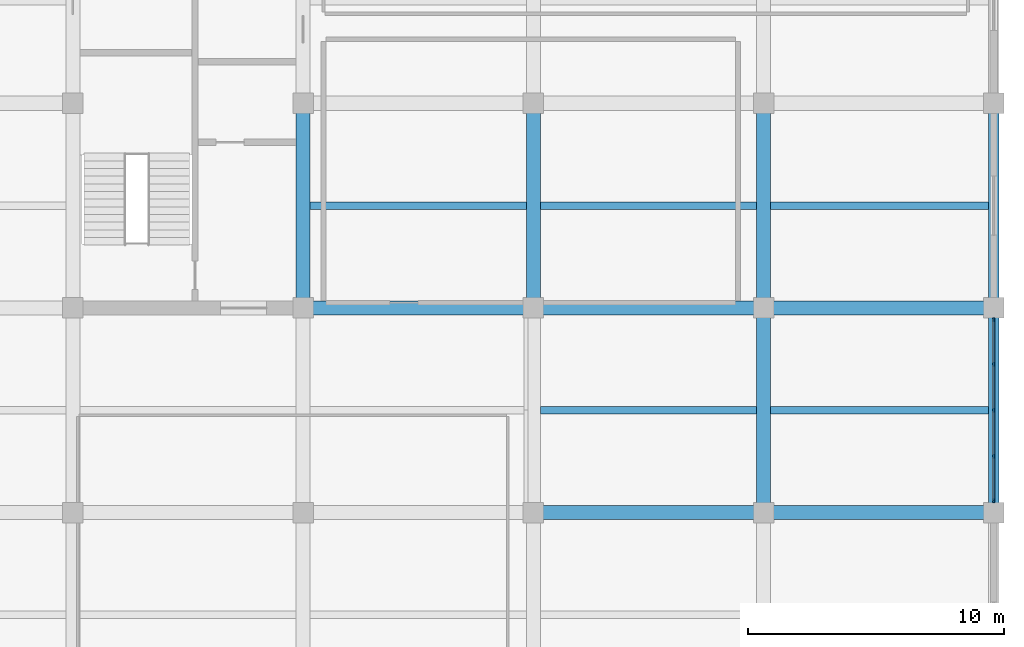
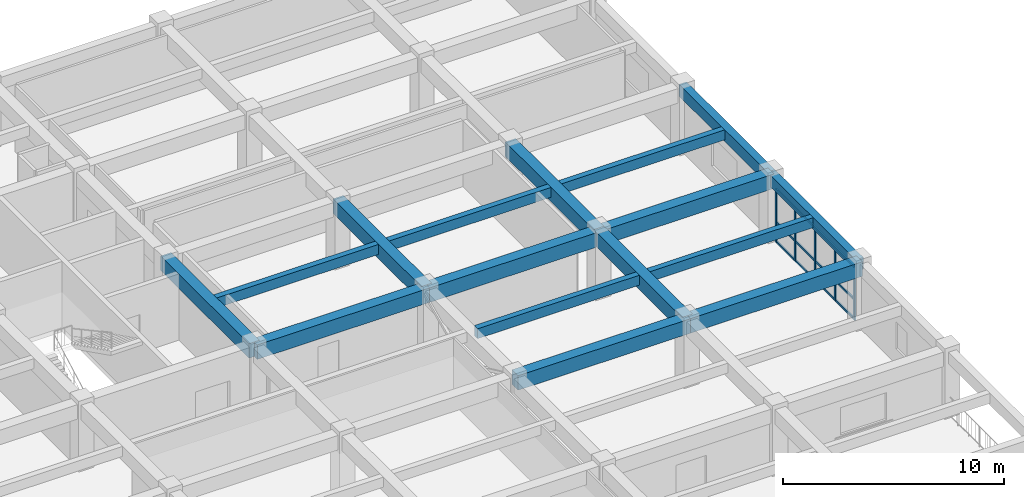
# One storey, part 7 of 17: 16 beams, 8 members, 1 element without a shape of its own.
"""IFC4 building model written with IfcOpenShell, lengths in metres."""

from ifc_helpers import new_model, si_unit, direction, frame, origin, origin_2d, place, context, subcontext, project, spatial, rectangle, extrude, material, material_profile, profile_set, type_object, element, aggregate, save


model = new_model("IFC4")

# Units and contexts
model_context = context("Model", 3, precision=1e-05, world=origin(), true_north=direction((0.0, 1.0)))
body_context = subcontext(model_context, "Body", "Model", "MODEL_VIEW")
ifc_project = project(units=[si_unit("LENGTHUNIT", "METRE"), si_unit("AREAUNIT", "SQUARE_METRE"), si_unit("VOLUMEUNIT", "CUBIC_METRE"), si_unit("PLANEANGLEUNIT", "RADIAN"), si_unit("MASSUNIT", "GRAM", prefix="KILO")], contexts=[model_context])

# Site, building, storey
site_placement = place(None, origin())
site = spatial("IfcSite", under=ifc_project, at=site_placement, CompositionType="ELEMENT")
building_placement = place(site_placement, origin())
building = spatial("IfcBuilding", under=site, at=building_placement, Name="Zaverband Oceanarium and Marine Research Institute", CompositionType="ELEMENT")
storey_placement = place(building_placement, frame((0.0, 0.0, 33.60009765625)))
storey = spatial("IfcBuildingStorey", under=building, at=storey_placement, Name="L08", CompositionType="ELEMENT", Elevation=33.60009765625)

# Beams
ifc_material_1 = material(Name="Concrete C40/50", Category="concrete")
ifc_material_profile_1 = material_profile(ifc_material_1, rectangle(XDim=0.550048828125, YDim=0.800048828125, at=origin_2d()), Name="RC550x800")
ifc_profile_set_1 = profile_set([ifc_material_profile_1], Name="Concrete C40/50")
beam_type_1 = type_object("IfcBeamType", Name="BM-550x800", PredefinedType="BEAM", material=ifc_profile_set_1)
for number, where, z_axis, x_axis, name in (
    (1, (54.0, 80.0, 3.25), (1.0, 0.0, 0.0), (0.0, 1.0, 0.0), "Primary floor girder BM-550x800"),
    (2, (63.0, 80.0, 3.25), (1.0, 0.0, 0.0), (0.0, 1.0, 0.0), "Primary floor girder BM-550x800"),
    (3, (45.0, 88.0, 3.25), (1.0, 0.0, 0.0), (0.0, 1.0, 0.0), "Primary floor girder BM-550x800"),
    (4, (54.0, 88.0, 3.25), (1.0, 0.0, 0.0), (0.0, 1.0, 0.0), "Primary floor girder BM-550x800"),
    (5, (63.0, 88.0, 3.25), (1.0, 0.0, 0.0), (0.0, 1.0, 0.0), "Primary floor girder BM-550x800"),
):
    element("IfcBeam", number, at=place(storey_placement, frame(where, z_axis=z_axis, x_axis=x_axis)), inside=storey, type_object=beam_type_1, Name=name, PredefinedType="BEAM", context=body_context, shape_type="SweptSolid", body=[
        extrude(rectangle(XDim=0.550048828125, YDim=0.800048828125, at=origin_2d()), origin(), (0.0, 0.0, 1.0), 9.0),
    ])
for number, where, z_axis, x_axis, name in (
    (6, (45.0, 88.0, 3.25), (0.0, 1.0, 0.0), (-1.0, 0.0, 0.0), "Primary floor girder BM-550x800"),
    (7, (54.0, 88.0, 3.25), (0.0, 1.0, 0.0), (-1.0, 0.0, 0.0), "Primary floor girder BM-550x800"),
    (8, (63.0, 80.0, 3.25), (0.0, 1.0, 0.0), (-1.0, 0.0, 0.0), "Primary floor girder BM-550x800"),
    (9, (63.0, 88.0, 3.25), (0.0, 1.0, 0.0), (-1.0, 0.0, 0.0), "Primary floor girder BM-550x800"),
):
    element("IfcBeam", number, at=place(storey_placement, frame(where, z_axis=z_axis, x_axis=x_axis)), inside=storey, type_object=beam_type_1, Name=name, PredefinedType="BEAM", context=body_context, shape_type="SweptSolid", body=[
        extrude(rectangle(XDim=0.550048828125, YDim=0.800048828125, at=origin_2d()), origin(), (0.0, 0.0, 1.0), 8.0),
    ])
ifc_material_profile_2 = material_profile(ifc_material_1, rectangle(XDim=0.300048828125, YDim=0.550048828125, at=origin_2d()), Name="RC300x550")
ifc_profile_set_2 = profile_set([ifc_material_profile_2], Name="Concrete C40/50")
beam_type_2 = type_object("IfcBeamType", Name="JST-300x550", PredefinedType="JOIST", material=ifc_profile_set_2)
for number, where, z_axis, x_axis, name in (
    (10, (45.27490234375, 92.0, 3.375), (1.0, 0.0, 0.0), (0.0, 1.0, 0.0), "Secondary floor joist JST-300x550"),
    (11, (54.27490234375, 84.0, 3.375), (1.0, 0.0, 0.0), (0.0, 1.0, 0.0), "Secondary floor joist JST-300x550"),
    (12, (54.27490234375, 92.0, 3.375), (1.0, 0.0, 0.0), (0.0, 1.0, 0.0), "Secondary floor joist JST-300x550"),
):
    element("IfcBeam", number, at=place(storey_placement, frame(where, z_axis=z_axis, x_axis=x_axis)), inside=storey, type_object=beam_type_2, Name=name, PredefinedType="JOIST", context=body_context, shape_type="SweptSolid", body=[
        extrude(rectangle(XDim=0.300048828125, YDim=0.550048828125, at=origin_2d()), origin(), (0.0, 0.0, 1.0), 8.4501953125),
    ])
for number, where, z_axis, x_axis, name in (
    (13, (63.27490234375, 84.0, 3.375), (1.0, 0.0, 0.0), (0.0, 1.0, 0.0), "Secondary floor joist JST-300x550"),
    (14, (63.27490234375, 92.0, 3.375), (1.0, 0.0, 0.0), (0.0, 1.0, 0.0), "Secondary floor joist JST-300x550"),
):
    element("IfcBeam", number, at=place(storey_placement, frame(where, z_axis=z_axis, x_axis=x_axis)), inside=storey, type_object=beam_type_2, Name=name, PredefinedType="JOIST", context=body_context, shape_type="SweptSolid", body=[
        extrude(rectangle(XDim=0.300048828125, YDim=0.550048828125, at=origin_2d()), origin(), (0.0, 0.0, 1.0), 8.525146484375),
    ])

# Curtain wall, members
ifc_material_2 = material(Name="Thermally broken anodized aluminium and solar-control glass", Category="aluminium")
curtain_wall_type = type_object("IfcCurtainWallType", Name="CW-UNIT-1800", PredefinedType="NOTDEFINED", material=ifc_material_2)
curtain_wall_placement = place(storey_placement, origin())
curtain_wall = element("IfcCurtainWall", 15, at=curtain_wall_placement, inside=storey, type_object=curtain_wall_type, Name="Unitised glazed curtain wall CW-102", PredefinedType="NOTDEFINED")
ifc_material_3 = material(Name="Thermally broken anodized aluminium", Category="aluminium")
ifc_material_profile_3 = material_profile(ifc_material_3, rectangle(XDim=0.070068359375, YDim=0.14990234375, at=origin_2d()), Name="AL-MUL-70x150")
ifc_profile_set_3 = profile_set([ifc_material_profile_3], Name="Thermally broken anodized aluminium")
member_type_1 = type_object("IfcMemberType", Name="MUL-70x150", PredefinedType="MULLION", material=ifc_profile_set_3)
member_1_placement = place(storey_placement, frame((72.0, 80.465087890625, 0.0), z_axis=(0.0, 0.0, 1.0), x_axis=(1.0, 0.0, 0.0)))
member_1 = element("IfcMember", 16, at=member_1_placement, type_object=member_type_1, Name="Curtain wall vertical mullion MUL-70x150", PredefinedType="MULLION", context=body_context, shape_type="SweptSolid", body=[
    extrude(rectangle(XDim=0.070068359375, YDim=0.14990234375, at=origin_2d()), origin(), (0.0, 0.0, 1.0), 2.97998046875),
])
member_2_placement = place(storey_placement, frame((72.0, 82.202392578125, 0.0), z_axis=(0.0, 0.0, 1.0), x_axis=(1.0, 0.0, 0.0)))
member_2 = element("IfcMember", 17, at=member_2_placement, type_object=member_type_1, Name="Curtain wall vertical mullion MUL-70x150", PredefinedType="MULLION", context=body_context, shape_type="SweptSolid", body=[
    extrude(rectangle(XDim=0.070068359375, YDim=0.14990234375, at=origin_2d()), origin(), (0.0, 0.0, 1.0), 2.97998046875),
])
member_3_placement = place(storey_placement, frame((72.0, 84.0, 0.0), z_axis=(0.0, 0.0, 1.0), x_axis=(1.0, 0.0, 0.0)))
member_3 = element("IfcMember", 18, at=member_3_placement, type_object=member_type_1, Name="Curtain wall vertical mullion MUL-70x150", PredefinedType="MULLION", context=body_context, shape_type="SweptSolid", body=[
    extrude(rectangle(XDim=0.070068359375, YDim=0.14990234375, at=origin_2d()), origin(), (0.0, 0.0, 1.0), 2.97998046875),
])
member_4_placement = place(storey_placement, frame((72.0, 85.797607421875, 0.0), z_axis=(0.0, 0.0, 1.0), x_axis=(1.0, 0.0, 0.0)))
member_4 = element("IfcMember", 19, at=member_4_placement, type_object=member_type_1, Name="Curtain wall vertical mullion MUL-70x150", PredefinedType="MULLION", context=body_context, shape_type="SweptSolid", body=[
    extrude(rectangle(XDim=0.070068359375, YDim=0.14990234375, at=origin_2d()), origin(), (0.0, 0.0, 1.0), 2.97998046875),
])
member_5_placement = place(storey_placement, frame((72.0, 87.534912109375, 0.0), z_axis=(0.0, 0.0, 1.0), x_axis=(1.0, 0.0, 0.0)))
member_5 = element("IfcMember", 20, at=member_5_placement, type_object=member_type_1, Name="Curtain wall vertical mullion MUL-70x150", PredefinedType="MULLION", context=body_context, shape_type="SweptSolid", body=[
    extrude(rectangle(XDim=0.070068359375, YDim=0.14990234375, at=origin_2d()), origin(), (0.0, 0.0, 1.0), 2.97998046875),
])

# Beams
ifc_material_profile_4 = material_profile(ifc_material_1, rectangle(XDim=0.39990234375, YDim=0.64990234375, at=origin_2d()), Name="RC400x650")
ifc_profile_set_4 = profile_set([ifc_material_profile_4], Name="Concrete C40/50")
beam_type_3 = type_object("IfcBeamType", Name="SPN-400x650", PredefinedType="SPANDREL", material=ifc_profile_set_4)
for number, where, z_axis, x_axis, name in (
    (21, (72.0, 80.0, 3.324951171875), (0.0, 1.0, 0.0), (-1.0, 0.0, 0.0), "Perimeter spandrel beam SPN-400x650"),
    (22, (72.0, 88.0, 3.324951171875), (0.0, 1.0, 0.0), (-1.0, 0.0, 0.0), "Perimeter spandrel beam SPN-400x650"),
):
    element("IfcBeam", number, at=place(storey_placement, frame(where, z_axis=z_axis, x_axis=x_axis)), inside=storey, type_object=beam_type_3, Name=name, PredefinedType="SPANDREL", context=body_context, shape_type="SweptSolid", body=[
        extrude(rectangle(XDim=0.39990234375, YDim=0.64990234375, at=origin_2d()), origin(), (0.0, 0.0, 1.0), 8.0),
    ])

# Member
ifc_material_profile_5 = material_profile(ifc_material_3, rectangle(XDim=0.070068359375, YDim=0.114990234375, at=origin_2d()), Name="AL-TRN-70x115")
ifc_profile_set_5 = profile_set([ifc_material_profile_5], Name="Thermally broken anodized aluminium")
member_type_2 = type_object("IfcMemberType", Name="TRN-70x115", PredefinedType="USERDEFINED", material=ifc_profile_set_5)
member_6_placement = place(storey_placement, frame((72.0, 80.465087890625, 0.0498046875), z_axis=(0.0, 1.0, 0.0), x_axis=(-1.0, 0.0, 0.0)))
member_6 = element("IfcMember", 23, at=member_6_placement, type_object=member_type_2, Name="Curtain wall horizontal transom TRN-70x115", ObjectType="TRANSOM", PredefinedType="USERDEFINED", context=body_context, shape_type="SweptSolid", body=[
    extrude(rectangle(XDim=0.070068359375, YDim=0.114990234375, at=origin_2d()), origin(), (0.0, 0.0, 1.0), 7.06982421875),
])

member_7_placement = place(storey_placement, frame((72.0, 80.465087890625, 1.122802734375), z_axis=(0.0, 1.0, 0.0), x_axis=(-1.0, 0.0, 0.0)))
member_7 = element("IfcMember", 24, at=member_7_placement, type_object=member_type_2, Name="Curtain wall horizontal transom TRN-70x115", ObjectType="TRANSOM", PredefinedType="USERDEFINED", context=body_context, shape_type="SweptSolid", body=[
    extrude(rectangle(XDim=0.070068359375, YDim=0.114990234375, at=origin_2d()), origin(), (0.0, 0.0, 1.0), 7.06982421875),
])

member_8_placement = place(storey_placement, frame((72.0, 80.465087890625, 2.929931640625), z_axis=(0.0, 1.0, 0.0), x_axis=(-1.0, 0.0, 0.0)))
member_8 = element("IfcMember", 25, at=member_8_placement, type_object=member_type_2, Name="Curtain wall horizontal transom TRN-70x115", ObjectType="TRANSOM", PredefinedType="USERDEFINED", context=body_context, shape_type="SweptSolid", body=[
    extrude(rectangle(XDim=0.070068359375, YDim=0.114990234375, at=origin_2d()), origin(), (0.0, 0.0, 1.0), 7.06982421875),
])

aggregate(curtain_wall, [member_1, member_2, member_3, member_4, member_5, member_6, member_7, member_8])

save(model, "model.ifc")
